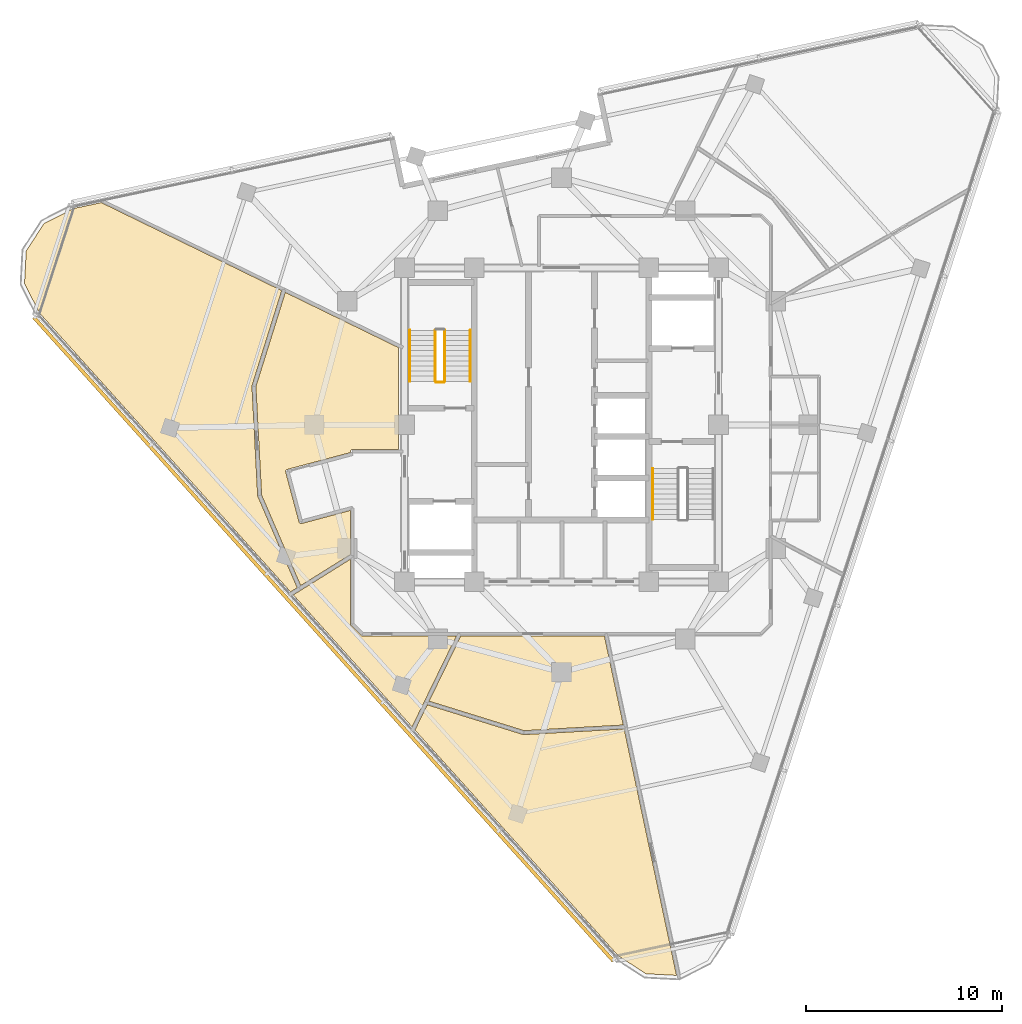
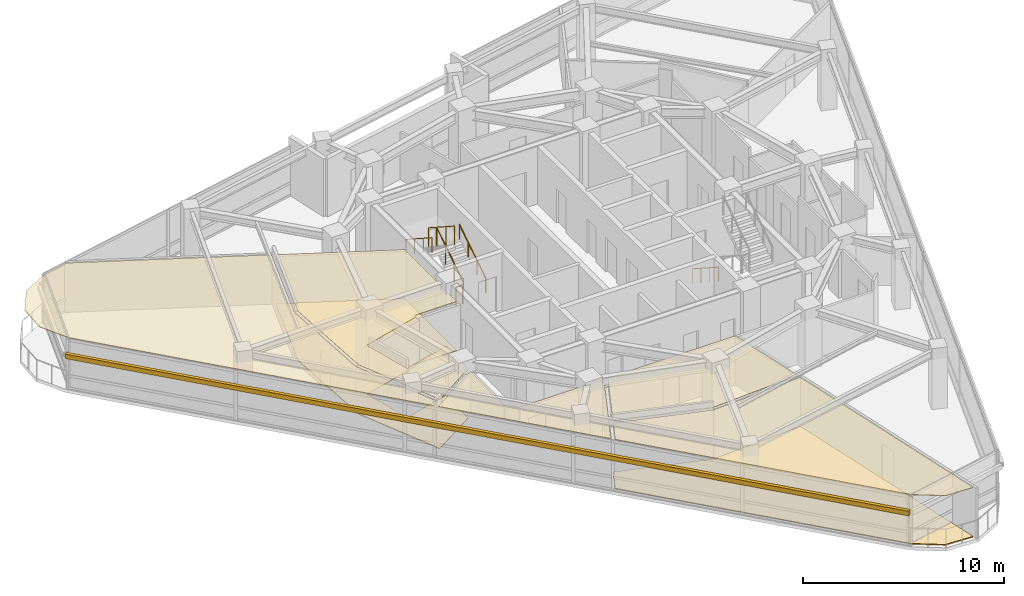
# One storey, part 12 of 15: 7 coverings, 6 railings, 1 shading device.
"""IFC4 building model written with IfcOpenShell, lengths in metres."""

from ifc_helpers import new_model, si_unit, direction, frame, origin, origin_2d, place, context, subcontext, project, spatial, polyline, rectangle, circle, outline, extrude, material, layer, layer_set, type_object, element, save


model = new_model("IFC4")

# Units and contexts
model_context = context("Model", 3, precision=1e-05, world=origin(), true_north=direction((0.0, 1.0)))
body_context = subcontext(model_context, "Body", "Model", "MODEL_VIEW")
ifc_project = project(units=[si_unit("LENGTHUNIT", "METRE"), si_unit("AREAUNIT", "SQUARE_METRE"), si_unit("VOLUMEUNIT", "CUBIC_METRE"), si_unit("PLANEANGLEUNIT", "RADIAN"), si_unit("MASSUNIT", "GRAM", prefix="KILO")], contexts=[model_context])

# Site, building, storey
site_placement = place(None, origin())
site = spatial("IfcSite", under=ifc_project, at=site_placement, CompositionType="ELEMENT")
building_placement = place(site_placement, origin())
building = spatial("IfcBuilding", under=site, at=building_placement, Name="Terralouvre Media Tower", CompositionType="ELEMENT")
storey_placement = place(building_placement, frame((0.0, 0.0, 305.39990234375)))
storey = spatial("IfcBuildingStorey", under=building, at=storey_placement, Name="L79", CompositionType="ELEMENT", Elevation=305.39990234375)

# Coverings
ifc_material_1 = material(Name="Resilient elastomer acoustic broadcast studio flooring")
ifc_layer_1 = layer(ifc_material_1, 0.050048828125, Name="Broadcast Studio Acoustic Floating Floor FL-AC1")
ifc_layer_set_1 = layer_set([ifc_layer_1], Name="Resilient elastomer acoustic broadcast studio flooring")
covering_type_1 = type_object("IfcCoveringType", Name="Broadcast Studio Acoustic Floating Floor FL-AC1", PredefinedType="FLOORING", material=ifc_layer_set_1)
covering_1_placement = place(storey_placement, frame((0.0, 0.0, 0.0), z_axis=(0.0, 0.0, 1.0), x_axis=(0.309016994375, 0.951056516295, 0.0)))
element("IfcCovering", 1, at=covering_1_placement, inside=storey, type_object=covering_type_1, Name="L79 Audio Mastering Control Room 1 Acoustic Floating Floor", PredefinedType="FLOORING", context=body_context, shape_type="SweptSolid", body=[
    extrude(outline(polyline([(-2.950927734375, 15.4189453125), (-8.12451171875, 13.432861328125), (-11.897216796875, 10.11376953125), (-9.5986328125, 8.1845703125), (-7.464111328125, 8.8779296875), (-8.87451171875, 11.049560546875), (-8.87939453125, 11.05810546875), (-8.883544921875, 11.06689453125), (-8.88671875, 11.076416015625), (-8.888916015625, 11.0859375), (-8.89013671875, 11.095458984375), (-8.890625, 11.10546875), (-8.889892578125, 11.115234375), (-8.888427734375, 11.124755859375), (-8.885986328125, 11.13427734375), (-8.882568359375, 11.1435546875), (-8.878173828125, 11.15234375), (-8.873046875, 11.16064453125), (-8.866943359375, 11.16845703125), (-8.8603515625, 11.17578125), (-8.85302734375, 11.18212890625), (-8.844970703125, 11.18798828125), (-6.621826171875, 12.63037109375), (-6.613525390625, 12.635498046875), (-6.6044921875, 12.639404296875), (-6.59521484375, 12.642578125), (-6.585693359375, 12.644775390625), (-6.576171875, 12.646240234375), (-6.566162109375, 12.646484375), (-6.556396484375, 12.64599609375), (-6.546875, 12.644287109375), (-6.537109375, 12.641845703125), (-6.528076171875, 12.638427734375), (-6.519287109375, 12.634033203125), (-6.510986328125, 12.62890625), (-6.503173828125, 12.623046875), (-6.495849609375, 12.616455078125), (-6.489501953125, 12.60888671875), (-6.483642578125, 12.60107421875), (-4.658447265625, 9.78955078125), (-4.60595703125, 9.806640625), (-4.596435546875, 9.809326171875), (-4.586669921875, 9.810791015625), (-4.576904296875, 9.8115234375), (-4.567138671875, 9.811279296875), (-4.557373046875, 9.81005859375), (-4.5478515625, 9.807861328125), (-4.53857421875, 9.8046875), (-4.529541015625, 9.80078125), (-4.52099609375, 9.795654296875), (-4.51318359375, 9.7900390625), (-4.505615234375, 9.78369140625), (-4.4990234375, 9.776611328125), (-4.492919921875, 9.768798828125), (-4.48779296875, 9.760498046875), (-4.4833984375, 9.751708984375), (-4.479736328125, 9.742431640625), (-3.7568359375, 7.51708984375), (1.1806640625, 9.121337890625), (2.073974609375, 15.4765625), (-2.950927734375, 15.4189453125)])), origin(), (0.0, 0.0, 1.0), 0.050048828125),
])
covering_2_placement = place(storey_placement, frame((0.0, 0.0, 0.0), z_axis=(0.0, 0.0, 1.0), x_axis=(0.309016994375, 0.951056516295, 0.0)))
element("IfcCovering", 2, at=covering_2_placement, inside=storey, type_object=covering_type_1, Name="L79 Vinyl and Score Music Library 4 Acoustic Floating Floor", PredefinedType="FLOORING", context=body_context, shape_type="SweptSolid", body=[
    extrude(outline(polyline([(-15.602783203125, -3.050537109375), (-15.605712890625, -3.0419921875), (-15.60791015625, -3.033447265625), (-15.609130859375, -3.0244140625), (-15.609619140625, -3.015625), (-15.6767578125, 2.102294921875), (-17.095947265625, 2.30126953125), (-24.83447265625, -11.10107421875), (-25.272705078125, -12.736083984375), (-24.86865234375, -14.241943359375), (-13.747314453125, -7.822021484375), (-15.602783203125, -3.050537109375)])), origin(), (0.0, 0.0, 1.0), 0.050048828125),
])
ifc_material_2 = material(Name="Perforated aluminium acoustic ceiling baffle", Category="aluminium")
ifc_layer_2 = layer(ifc_material_2, 0.0400390625, Name="Perforated Acoustic Metal Tile Ceiling CL-AC1")
ifc_layer_set_2 = layer_set([ifc_layer_2], Name="Perforated aluminium acoustic ceiling baffle")
covering_type_2 = type_object("IfcCoveringType", Name="Perforated Acoustic Metal Tile Ceiling CL-AC1", PredefinedType="CEILING", material=ifc_layer_set_2)
covering_3_placement = place(storey_placement, frame((0.0, 0.0, 2.97998046875), z_axis=(0.0, 0.0, 1.0), x_axis=(0.309016994375, 0.951056516295, 0.0)))
element("IfcCovering", 3, at=covering_3_placement, inside=storey, type_object=covering_type_2, Name="L79 Audio Mastering Control Room 1 Acoustic Ceiling", PredefinedType="CEILING", context=body_context, shape_type="SweptSolid", body=[
    extrude(outline(polyline([(-2.950927734375, 15.4189453125), (-8.12451171875, 13.432861328125), (-11.897216796875, 10.11376953125), (-9.5986328125, 8.1845703125), (-7.464111328125, 8.8779296875), (-8.87451171875, 11.049560546875), (-8.87939453125, 11.05810546875), (-8.883544921875, 11.06689453125), (-8.88671875, 11.076416015625), (-8.888916015625, 11.0859375), (-8.89013671875, 11.095458984375), (-8.890625, 11.10546875), (-8.889892578125, 11.115234375), (-8.888427734375, 11.124755859375), (-8.885986328125, 11.13427734375), (-8.882568359375, 11.1435546875), (-8.878173828125, 11.15234375), (-8.873046875, 11.16064453125), (-8.866943359375, 11.16845703125), (-8.8603515625, 11.17578125), (-8.85302734375, 11.18212890625), (-8.844970703125, 11.18798828125), (-6.621826171875, 12.63037109375), (-6.613525390625, 12.635498046875), (-6.6044921875, 12.639404296875), (-6.59521484375, 12.642578125), (-6.585693359375, 12.644775390625), (-6.576171875, 12.646240234375), (-6.566162109375, 12.646484375), (-6.556396484375, 12.64599609375), (-6.546875, 12.644287109375), (-6.537109375, 12.641845703125), (-6.528076171875, 12.638427734375), (-6.519287109375, 12.634033203125), (-6.510986328125, 12.62890625), (-6.503173828125, 12.623046875), (-6.495849609375, 12.616455078125), (-6.489501953125, 12.60888671875), (-6.483642578125, 12.60107421875), (-4.658447265625, 9.78955078125), (-4.60595703125, 9.806640625), (-4.596435546875, 9.809326171875), (-4.586669921875, 9.810791015625), (-4.576904296875, 9.8115234375), (-4.567138671875, 9.811279296875), (-4.557373046875, 9.81005859375), (-4.5478515625, 9.807861328125), (-4.53857421875, 9.8046875), (-4.529541015625, 9.80078125), (-4.52099609375, 9.795654296875), (-4.51318359375, 9.7900390625), (-4.505615234375, 9.78369140625), (-4.4990234375, 9.776611328125), (-4.492919921875, 9.768798828125), (-4.48779296875, 9.760498046875), (-4.4833984375, 9.751708984375), (-4.479736328125, 9.742431640625), (-3.7568359375, 7.51708984375), (1.1806640625, 9.121337890625), (2.073974609375, 15.4765625), (-2.950927734375, 15.4189453125)])), origin(), (0.0, 0.0, 1.0), 0.0400390625),
])
covering_4_placement = place(storey_placement, frame((0.0, 0.0, 2.97998046875), z_axis=(0.0, 0.0, 1.0), x_axis=(0.309016994375, 0.951056516295, 0.0)))
element("IfcCovering", 4, at=covering_4_placement, inside=storey, type_object=covering_type_2, Name="L79 Radio Continuity Control Room 2 Acoustic Ceiling", PredefinedType="CEILING", context=body_context, shape_type="SweptSolid", body=[
    extrude(outline(polyline([(-11.87841796875, 1.77001953125), (-13.3603515625, 6.331298828125), (-13.363037109375, 6.3408203125), (-13.364501953125, 6.350341796875), (-13.365234375, 6.360107421875), (-13.364990234375, 6.3701171875), (-13.36376953125, 6.379638671875), (-13.361572265625, 6.389404296875), (-13.3583984375, 6.398681640625), (-13.354248046875, 6.407470703125), (-13.033447265625, 7.03759765625), (-13.0283203125, 7.046142578125), (-13.022705078125, 7.05419921875), (-13.016357421875, 7.0615234375), (-13.00927734375, 7.068359375), (-13.00146484375, 7.07421875), (-12.9931640625, 7.07958984375), (-12.984375, 7.083740234375), (-12.97509765625, 7.08740234375), (-9.82275390625, 8.111572265625), (-12.114990234375, 10.035400390625), (-12.462890625, 10.3271484375), (-16.98828125, 2.488037109375), (-15.564208984375, 2.288330078125), (-11.87841796875, 1.77001953125)])), origin(), (0.0, 0.0, 1.0), 0.0400390625),
])
covering_5_placement = place(storey_placement, frame((0.0, 0.0, 2.97998046875), z_axis=(0.0, 0.0, 1.0), x_axis=(0.309016994375, 0.951056516295, 0.0)))
element("IfcCovering", 5, at=covering_5_placement, inside=storey, type_object=covering_type_2, Name="L79 Foley Sound Creative Workshop 3 Acoustic Ceiling", PredefinedType="CEILING", context=body_context, shape_type="SweptSolid", body=[
    extrude(outline(polyline([(-15.409912109375, -2.994873046875), (-13.572265625, -7.720947265625), (-9.54931640625, -5.398193359375), (-11.8095703125, 1.558349609375), (-15.4765625, 2.073974609375), (-15.409912109375, -2.994873046875)])), origin(), (0.0, 0.0, 1.0), 0.0400390625),
])
covering_6_placement = place(storey_placement, frame((0.0, 0.0, 2.97998046875), z_axis=(0.0, 0.0, 1.0), x_axis=(0.309016994375, 0.951056516295, 0.0)))
element("IfcCovering", 6, at=covering_6_placement, inside=storey, type_object=covering_type_2, Name="L79 Vinyl and Score Music Library 4 Acoustic Ceiling", PredefinedType="CEILING", context=body_context, shape_type="SweptSolid", body=[
    extrude(outline(polyline([(-15.602783203125, -3.050537109375), (-15.605712890625, -3.0419921875), (-15.60791015625, -3.033447265625), (-15.609130859375, -3.0244140625), (-15.609619140625, -3.015625), (-15.6767578125, 2.102294921875), (-17.095947265625, 2.30126953125), (-24.83447265625, -11.10107421875), (-25.272705078125, -12.736083984375), (-24.86865234375, -14.241943359375), (-13.747314453125, -7.822021484375), (-15.602783203125, -3.050537109375)])), origin(), (0.0, 0.0, 1.0), 0.0400390625),
])
covering_7_placement = place(storey_placement, frame((0.0, 0.0, 2.97998046875), z_axis=(0.0, 0.0, 1.0), x_axis=(0.309016994375, 0.951056516295, 0.0)))
element("IfcCovering", 7, at=covering_7_placement, inside=storey, type_object=covering_type_2, Name="L79 Program Schedule Briefing Room 11 Acoustic Ceiling", PredefinedType="CEILING", context=body_context, shape_type="SweptSolid", body=[
    extrude(outline(polyline([(-8.2431640625, 13.594970703125), (-8.236083984375, 13.6005859375), (-8.228759765625, 13.60546875), (-8.22119140625, 13.609619140625), (-8.212890625, 13.61328125), (-3.005859375, 15.6123046875), (-2.997314453125, 15.614990234375), (-2.98876953125, 15.616943359375), (-2.97998046875, 15.6181640625), (-2.97119140625, 15.618896484375), (2.102294921875, 15.677001953125), (3.526123046875, 25.8056640625), (2.802734375, 27.0576171875), (1.6064453125, 28.255126953125), (0.0, 28.684326171875), (-1.606201171875, 28.254150390625), (-2.803466796875, 27.057861328125), (-12.361328125, 10.503173828125), (-12.05224609375, 10.243896484375), (-8.2431640625, 13.594970703125)])), origin(), (0.0, 0.0, 1.0), 0.0400390625),
])

# Railings
ifc_material_3 = material(Name="Stainless steel 316 handrail and balustrade", Category="steel")
ifc_layer_3 = layer(ifc_material_3, 0.050048828125, Name="Stair Flight Wall Handrail HR-INT1")
ifc_layer_set_3 = layer_set([ifc_layer_3], Name="Stainless steel 316 handrail and balustrade")
railing_type_1 = type_object("IfcRailingType", Name="Stair Flight Wall Handrail HR-INT1", PredefinedType="HANDRAIL", material=ifc_layer_set_3)
railing_1_placement = place(storey_placement, frame((-4.64990234375, 2.219970703125, 0.168212890625)))
element("IfcRailing", 8, at=railing_1_placement, inside=storey, type_object=railing_type_1, Name="L79 ST-01 stair handrail 1", PredefinedType="HANDRAIL", context=body_context, shape_type="SweptSolid", body=[
    extrude(circle(Radius=0.02392578125, at=origin_2d()), frame((0.0, 0.0, 0.8759765625), z_axis=(0.0, 0.839648411786, 0.543130320075), x_axis=(-1.0, 0.0, 0.0)), (0.0, 0.0, 1.0), 3.0966796875),
    extrude(circle(Radius=0.02099609375, at=origin_2d()), origin(), (0.0, 0.0, 1.0), 0.851806640625),
    extrude(circle(Radius=0.02099609375, at=origin_2d()), frame((0.0, 0.86669921875, 0.560546875)), (0.0, 0.0, 1.0), 0.851806640625),
    extrude(circle(Radius=0.02099609375, at=origin_2d()), frame((0.0, 1.7333984375, 1.121337890625)), (0.0, 0.0, 1.0), 0.851806640625),
    extrude(circle(Radius=0.02099609375, at=origin_2d()), frame((0.0, 2.60009765625, 1.681884765625)), (0.0, 0.0, 1.0), 0.851806640625),
])
for number, where, name in (
    (9, (-7.72998046875, 4.820068359375, 2.018310546875), "L79 ST-01 stair handrail 2"),
    (10, (4.64990234375, -2.219970703125, 0.168212890625), "L79 ST-02 stair handrail 1"),
):
    element("IfcRailing", number, at=place(storey_placement, frame(where)), inside=storey, type_object=railing_type_1, Name=name, PredefinedType="HANDRAIL", context=body_context, shape_type="SweptSolid", body=[
        extrude(circle(Radius=0.02392578125, at=origin_2d()), frame((0.0, 0.0, 0.8759765625), z_axis=(0.0, -0.839648411786, 0.543130320075), x_axis=(1.0, 0.0, 0.0)), (0.0, 0.0, 1.0), 3.0966796875),
        extrude(circle(Radius=0.02099609375, at=origin_2d()), origin(), (0.0, 0.0, 1.0), 0.851806640625),
        extrude(circle(Radius=0.02099609375, at=origin_2d()), frame((0.0, -0.86669921875, 0.560546875)), (0.0, 0.0, 1.0), 0.851806640625),
        extrude(circle(Radius=0.02099609375, at=origin_2d()), frame((0.0, -1.7333984375, 1.121337890625)), (0.0, 0.0, 1.0), 0.851806640625),
        extrude(circle(Radius=0.02099609375, at=origin_2d()), frame((0.0, -2.60009765625, 1.681884765625)), (0.0, 0.0, 1.0), 0.851806640625),
    ])
ifc_material_4 = material(Name="Stainless steel 316 handrail and balustrade", Category="steel")
ifc_layer_4 = layer(ifc_material_4, 0.050048828125, Name="Stairwell Safety Guardrail GR-INT1")
ifc_layer_set_4 = layer_set([ifc_layer_4], Name="Stainless steel 316 handrail and balustrade")
railing_type_2 = type_object("IfcRailingType", Name="Stairwell Safety Guardrail GR-INT1", PredefinedType="GUARDRAIL", material=ifc_layer_set_4)
railing_2_placement = place(storey_placement, frame((-5.949951171875, 2.219970703125, 0.168212890625)))
element("IfcRailing", 11, at=railing_2_placement, inside=storey, type_object=railing_type_2, Name="L79 ST-01 stair guard 1", PredefinedType="GUARDRAIL", context=body_context, shape_type="SweptSolid", body=[
    extrude(circle(Radius=0.02392578125, at=origin_2d()), frame((0.0, 0.0, 1.1259765625), z_axis=(0.0, 0.839648411786, 0.543130320075), x_axis=(-1.0, 0.0, 0.0)), (0.0, 0.0, 1.0), 3.0966796875),
    extrude(circle(Radius=0.02099609375, at=origin_2d()), origin(), (0.0, 0.0, 1.0), 1.101806640625),
    extrude(circle(Radius=0.02099609375, at=origin_2d()), frame((0.0, 0.86669921875, 0.560546875)), (0.0, 0.0, 1.0), 1.101806640625),
    extrude(circle(Radius=0.02099609375, at=origin_2d()), frame((0.0, 1.7333984375, 1.121337890625)), (0.0, 0.0, 1.0), 1.101806640625),
    extrude(circle(Radius=0.02099609375, at=origin_2d()), frame((0.0, 2.60009765625, 1.681884765625)), (0.0, 0.0, 1.0), 1.101806640625),
])
railing_3_placement = place(storey_placement, frame((-6.429931640625, 4.820068359375, 2.018310546875)))
element("IfcRailing", 12, at=railing_3_placement, inside=storey, type_object=railing_type_2, Name="L79 ST-01 stair guard 3", PredefinedType="GUARDRAIL", context=body_context, shape_type="SweptSolid", body=[
    extrude(circle(Radius=0.02392578125, at=origin_2d()), frame((0.0, 0.0, 1.1259765625), z_axis=(0.0, -0.839648411786, 0.543130320075), x_axis=(1.0, 0.0, 0.0)), (0.0, 0.0, 1.0), 3.0966796875),
    extrude(circle(Radius=0.02099609375, at=origin_2d()), origin(), (0.0, 0.0, 1.0), 1.101806640625),
    extrude(circle(Radius=0.02099609375, at=origin_2d()), frame((0.0, -0.86669921875, 0.560546875)), (0.0, 0.0, 1.0), 1.101806640625),
    extrude(circle(Radius=0.02099609375, at=origin_2d()), frame((0.0, -1.7333984375, 1.121337890625)), (0.0, 0.0, 1.0), 1.101806640625),
    extrude(circle(Radius=0.02099609375, at=origin_2d()), frame((0.0, -2.60009765625, 1.681884765625)), (0.0, 0.0, 1.0), 1.101806640625),
])
railing_4_placement = place(storey_placement, frame((-6.0, 2.169921875, 0.0)))
element("IfcRailing", 13, at=railing_4_placement, inside=storey, type_object=railing_type_2, Name="L79 ST-01 stair guard 4", PredefinedType="GUARDRAIL", context=body_context, shape_type="SweptSolid", body=[
    extrude(circle(Radius=0.02392578125, at=origin_2d()), frame((0.0, 0.0, 1.1259765625), z_axis=(-1.0, 0.0, 0.0), x_axis=(0.0, -1.0, 0.0)), (0.0, 0.0, 1.0), 0.3798828125),
    extrude(circle(Radius=0.02099609375, at=origin_2d()), origin(), (0.0, 0.0, 1.0), 1.101806640625),
    extrude(circle(Radius=0.02099609375, at=origin_2d()), frame((-0.3798828125, 0.0, 0.0)), (0.0, 0.0, 1.0), 1.101806640625),
])

# Shading device
ifc_material_5 = material(Name="Extruded terracotta baguette sunshade louvres", Category="masonry")
shading_device_type = type_object("IfcShadingDeviceType", Name="Terracotta Baguette Sunshade Louvre Screen TB-LV1", PredefinedType="USERDEFINED", material=ifc_material_5)
shading_device_placement = place(storey_placement, frame((-12.12548828125, -10.917724609375, 2.02392578125), z_axis=(0.0, 0.0, 1.0), x_axis=(0.669130573531, -0.743144855036, 0.0)))
element("IfcShadingDevice", 14, at=shading_device_placement, inside=storey, type_object=shading_device_type, Name="CW-L79-F2 Terracotta Baguette Sunshade Louvre", ObjectType="BAGUETTE", PredefinedType="USERDEFINED", context=body_context, shape_type="SweptSolid", body=[
    extrude(rectangle(XDim=44.1201171875, YDim=0.179931640625, at=origin_2d()), origin(), (0.0, 0.0, 1.0), 0.280029296875),
])

save(model, "model.ifc")
